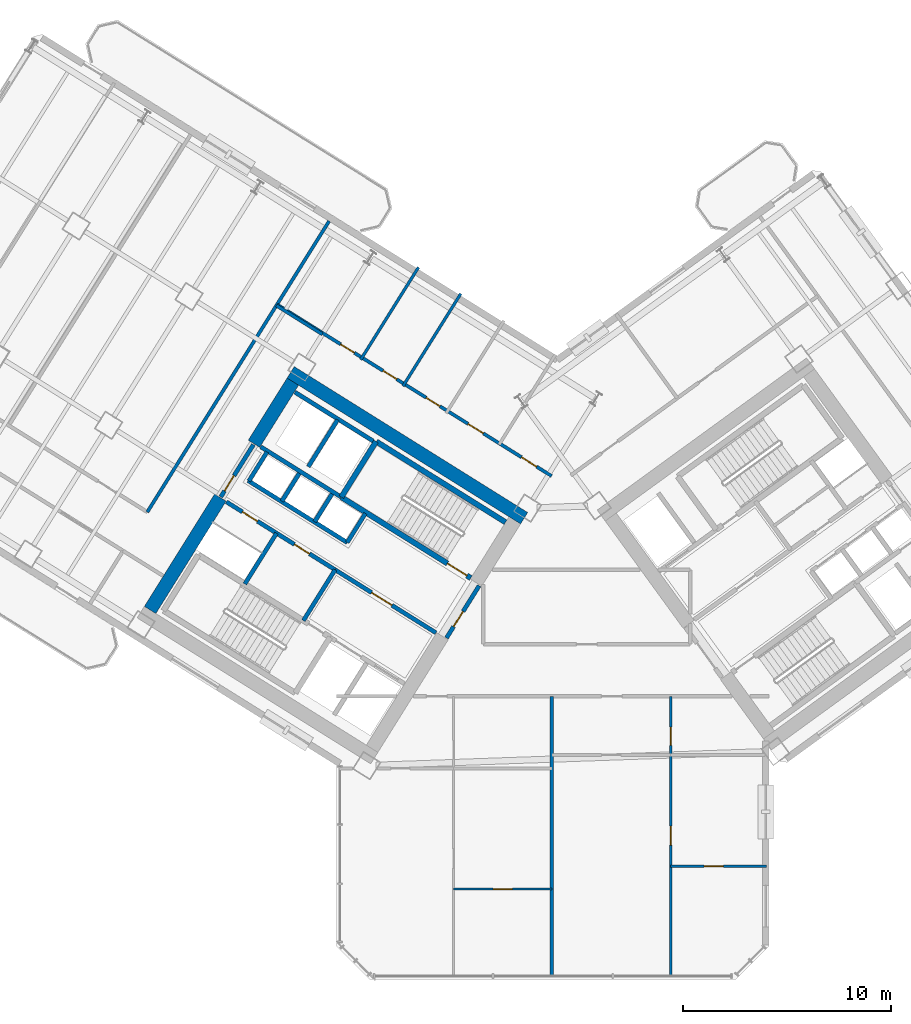
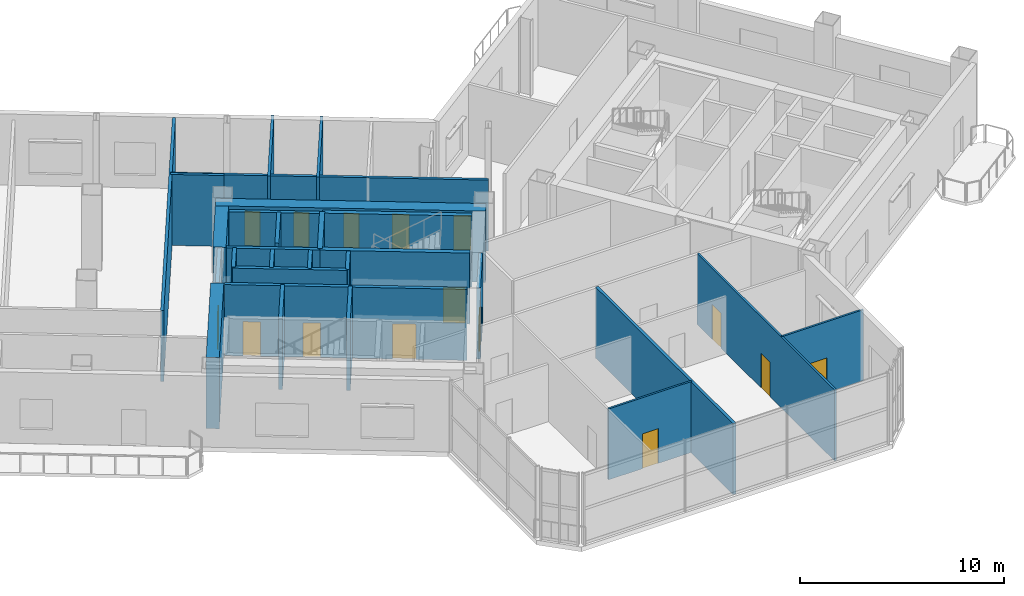
# One storey, part 12 of 19: 29 walls, 15 doors, 15 openings.
"""IFC4 building model written with IfcOpenShell, lengths in metres."""

from ifc_helpers import new_model, si_unit, direction, frame, frame_2d, origin, place, context, subcontext, project, spatial, rectangle, extrude, source, transform, mapped, material, layer, layer_set, type_object, element, fill, save


model = new_model("IFC4")

# Units and contexts
model_context = context("Model", 3, precision=1e-05, world=origin(), true_north=direction((0.0, 1.0)))
body_context = subcontext(model_context, "Body", "Model", "MODEL_VIEW")
ifc_project = project(units=[si_unit("LENGTHUNIT", "METRE"), si_unit("AREAUNIT", "SQUARE_METRE"), si_unit("VOLUMEUNIT", "CUBIC_METRE"), si_unit("PLANEANGLEUNIT", "RADIAN"), si_unit("MASSUNIT", "GRAM", prefix="KILO")], contexts=[model_context])

# Site, building, storey
site_placement = place(None, origin())
site = spatial("IfcSite", under=ifc_project, at=site_placement, CompositionType="ELEMENT")
building_placement = place(site_placement, origin())
building = spatial("IfcBuilding", under=site, at=building_placement, Name="Tlacorven Tower", CompositionType="ELEMENT")
storey_placement = place(building_placement, frame((0.0, 0.0, 76.5)))
storey = spatial("IfcBuildingStorey", under=building, at=storey_placement, Name="L19", CompositionType="ELEMENT", Elevation=76.5)

# Walls
ifc_material_1 = material(Name="Concrete C60/75", Category="concrete")
ifc_layer_1 = layer(ifc_material_1, 0.64990234375)
ifc_layer_set_1 = layer_set([ifc_layer_1], Name="Concrete C60/75")
wall_type_1 = type_object("IfcWallType", Name="WL-COR-650", PredefinedType="SHEAR", material=ifc_layer_set_1)
wall_1_placement = place(storey_placement, frame((40.615478515625, 23.9833984375, 0.0), z_axis=(0.0, 0.0, 1.0), x_axis=(-0.848045953968, 0.529922692436, 0.0)))
element("IfcWall", 1, at=wall_1_placement, inside=storey, type_object=wall_type_1, Name="L19 W core shear wall S1", PredefinedType="SHEAR", context=body_context, shape_type="SweptSolid", body=[
    extrude(rectangle(XDim=13.239990234375, YDim=0.64990234375, at=frame_2d((6.6201171875, 0.0))), origin(), (0.0, 0.0, 1.0), 4.25),
])
wall_2_placement = place(storey_placement, frame((29.49072265625, 30.5517578125, 0.0), z_axis=(0.0, 0.0, 1.0), x_axis=(-0.529893103397, -0.8480644427, 0.0)))
element("IfcWall", 2, at=wall_2_placement, inside=storey, type_object=wall_type_1, Name="L19 W core end wall E2.1", PredefinedType="SHEAR", context=body_context, shape_type="SweptSolid", body=[
    extrude(rectangle(XDim=3.525146484375, YDim=0.64990234375, at=frame_2d((1.7626953125, 0.0))), origin(), (0.0, 0.0, 1.0), 4.25),
])
wall_3_placement = place(storey_placement, frame((26.006591796875, 24.975830078125, 0.0), z_axis=(0.0, 0.0, 1.0), x_axis=(-0.529916319127, -0.848049936456, 0.0)))
element("IfcWall", 3, at=wall_3_placement, inside=storey, type_object=wall_type_1, Name="L19 W core end wall E2.2", PredefinedType="SHEAR", context=body_context, shape_type="SweptSolid", body=[
    extrude(rectangle(XDim=6.375, YDim=0.64990234375, at=frame_2d((3.1875, 0.0))), origin(), (0.0, 0.0, 1.0), 4.25),
])
ifc_material_2 = material(Name="Gypsum plasterboard acoustic partition", Category="gypsum")
ifc_layer_2 = layer(ifc_material_2, 0.159912109375)
ifc_layer_set_2 = layer_set([ifc_layer_2], Name="Gypsum plasterboard acoustic partition")
wall_type_2 = type_object("IfcWallType", Name="WL-DEM-160", PredefinedType="PARTITIONING", material=ifc_layer_set_2)
wall_4_placement = place(storey_placement, frame((30.91357421875, 32.82861328125, 0.0), z_axis=(0.0, 0.0, 1.0), x_axis=(-0.848008813643, 0.529982124211, 0.0)))
element("IfcWall", 4, at=wall_4_placement, inside=storey, type_object=wall_type_2, Name="L19 partition 47", PredefinedType="PARTITIONING", context=body_context, shape_type="SweptSolid", body=[
    extrude(rectangle(XDim=2.610107421875, YDim=0.159912109375, at=frame_2d((1.30517578125, 0.0))), origin(), (0.0, 0.0, 1.0), 4.239990234375),
])
wall_5_placement = place(storey_placement, frame((31.238525390625, 38.27392578125, 0.0), z_axis=(0.0, 0.0, 1.0), x_axis=(-0.529921796515, -0.848046513806, 0.0)))
element("IfcWall", 5, at=wall_5_placement, inside=storey, type_object=wall_type_2, Name="L19 partition 49", PredefinedType="PARTITIONING", context=body_context, shape_type="SweptSolid", body=[
    extrude(rectangle(XDim=16.5, YDim=0.159912109375, at=frame_2d((8.25, 0.0))), origin(), (0.0, 0.0, 1.0), 4.239990234375),
])

# Wall, openings, doors
wall_6_placement = place(storey_placement, frame((41.93603515625, 26.011962890625, 0.0), z_axis=(0.0, 0.0, 1.0), x_axis=(-0.848051154596, 0.529914369676, 0.0)))
wall_6 = element("IfcWall", 6, at=wall_6_placement, inside=storey, type_object=wall_type_2, Name="L19 partition 56", PredefinedType="PARTITIONING", context=body_context, shape_type="SweptSolid", body=[
    extrude(rectangle(XDim=15.56982421875, YDim=0.159912109375, at=frame_2d((7.784912109375, 0.0))), origin(), (0.0, 0.0, 1.0), 4.239990234375),
])
opening_1_placement = place(wall_6_placement, frame((0.85009765625, 0.0, 0.0)))
opening_1 = element("IfcOpeningElement", 7, at=opening_1_placement, cuts=wall_6, Name="Opening D19", PredefinedType="OPENING", context=body_context, shape_type="SweptSolid", body=[
    extrude(rectangle(XDim=0.860107421875, YDim=2.050048828125, at=frame_2d((0.43017578125, 1.02490234375))), frame((0.0, 0.08984375, 0.0), z_axis=(0.0, -1.0, 0.0), x_axis=(1.0, 0.0, 0.0)), (0.0, 0.0, 1.0), 0.179931640625),
])
opening_2_placement = place(wall_6_placement, frame((3.8701171875, 0.0, 0.0)))
opening_2 = element("IfcOpeningElement", 8, at=opening_2_placement, cuts=wall_6, Name="Opening D19", PredefinedType="OPENING", context=body_context, shape_type="SweptSolid", body=[
    extrude(rectangle(XDim=0.860107421875, YDim=2.050048828125, at=frame_2d((0.43017578125, 1.02490234375))), frame((0.0, 0.08984375, 0.0), z_axis=(0.0, -1.0, 0.0), x_axis=(1.0, 0.0, 0.0)), (0.0, 0.0, 1.0), 0.179931640625),
])
opening_3_placement = place(wall_6_placement, frame((6.330078125, 0.0, 0.0)))
opening_3 = element("IfcOpeningElement", 9, at=opening_3_placement, cuts=wall_6, Name="Opening D22", PredefinedType="OPENING", context=body_context, shape_type="SweptSolid", body=[
    extrude(rectangle(XDim=0.780029296875, YDim=2.050048828125, at=frame_2d((0.39013671875, 1.02490234375))), frame((0.0, 0.08984375, 0.0), z_axis=(0.0, -1.0, 0.0), x_axis=(1.0, 0.0, 0.0)), (0.0, 0.0, 1.0), 0.179931640625),
])
opening_4_placement = place(wall_6_placement, frame((8.780029296875, 0.0, 0.0)))
opening_4 = element("IfcOpeningElement", 10, at=opening_4_placement, cuts=wall_6, Name="Opening D22", PredefinedType="OPENING", context=body_context, shape_type="SweptSolid", body=[
    extrude(rectangle(XDim=0.780029296875, YDim=2.050048828125, at=frame_2d((0.39013671875, 1.02490234375))), frame((0.0, 0.08984375, 0.0), z_axis=(0.0, -1.0, 0.0), x_axis=(1.0, 0.0, 0.0)), (0.0, 0.0, 1.0), 0.179931640625),
])
opening_5_placement = place(wall_6_placement, frame((11.179931640625, 0.0, 0.0)))
opening_5 = element("IfcOpeningElement", 11, at=opening_5_placement, cuts=wall_6, Name="Opening D22", PredefinedType="OPENING", context=body_context, shape_type="SweptSolid", body=[
    extrude(rectangle(XDim=0.780029296875, YDim=2.050048828125, at=frame_2d((0.39013671875, 1.02490234375))), frame((0.0, 0.08984375, 0.0), z_axis=(0.0, -1.0, 0.0), x_axis=(1.0, 0.0, 0.0)), (0.0, 0.0, 1.0), 0.179931640625),
])
ifc_material_3 = material(Name="Fire-rated steel door assembly", Category="steel")
door_type_1 = type_object("IfcDoorType", Name="DR-RSR-FD60-0860", OperationType="NOTDEFINED", PredefinedType="DOOR", material=ifc_material_3)
shared_shape_1 = source(origin(), body_context, "Body", "SweptSolid", [
    extrude(rectangle(XDim=0.860107421875, YDim=2.050048828125, at=frame_2d((0.43017578125, 1.02490234375))), frame((0.0, 0.02490234375, 0.0), z_axis=(0.0, -1.0, 0.0), x_axis=(1.0, 0.0, 0.0)), (0.0, 0.0, 1.0), 0.050048828125),
])
door_1_placement = place(opening_1_placement, origin())
door_1 = element("IfcDoor", 12, at=door_1_placement, inside=storey, type_object=door_type_1, Name="L19 door 025", OperationType="SINGLE_SWING_RIGHT", OverallHeight=2.050048828125, OverallWidth=0.860107421875, PredefinedType="DOOR", context=body_context, shape_type="MappedRepresentation", body=[
    mapped(shared_shape_1, transform((0.0, 0.0, 0.0), scale=1.0)),
])
fill(opening_1, door_1)
door_2_placement = place(opening_2_placement, origin())
door_2 = element("IfcDoor", 13, at=door_2_placement, inside=storey, type_object=door_type_1, Name="L19 door 026", OperationType="SINGLE_SWING_LEFT", OverallHeight=2.050048828125, OverallWidth=0.860107421875, PredefinedType="DOOR", context=body_context, shape_type="MappedRepresentation", body=[
    mapped(shared_shape_1, transform((0.0, 0.0, 0.0), scale=1.0)),
])
fill(opening_2, door_2)
ifc_material_4 = material(Name="Powder-coated aluminium and timber door", Category="wood")
door_type_2 = type_object("IfcDoorType", Name="DR-INT-WET-0780", OperationType="NOTDEFINED", PredefinedType="DOOR", material=ifc_material_4)
shared_shape_2 = source(origin(), body_context, "Body", "SweptSolid", [
    extrude(rectangle(XDim=0.780029296875, YDim=2.050048828125, at=frame_2d((0.39013671875, 1.02490234375))), frame((0.0, 0.02490234375, 0.0), z_axis=(0.0, -1.0, 0.0), x_axis=(1.0, 0.0, 0.0)), (0.0, 0.0, 1.0), 0.050048828125),
])
door_3_placement = place(opening_3_placement, origin())
door_3 = element("IfcDoor", 14, at=door_3_placement, inside=storey, type_object=door_type_2, Name="L19 door 027", OperationType="SINGLE_SWING_RIGHT", OverallHeight=2.050048828125, OverallWidth=0.780029296875, PredefinedType="DOOR", context=body_context, shape_type="MappedRepresentation", body=[
    mapped(shared_shape_2, transform((0.0, 0.0, 0.0), scale=1.0)),
])
fill(opening_3, door_3)
door_4_placement = place(opening_4_placement, origin())
door_4 = element("IfcDoor", 15, at=door_4_placement, inside=storey, type_object=door_type_2, Name="L19 door 028", OperationType="SINGLE_SWING_LEFT", OverallHeight=2.050048828125, OverallWidth=0.780029296875, PredefinedType="DOOR", context=body_context, shape_type="MappedRepresentation", body=[
    mapped(shared_shape_2, transform((0.0, 0.0, 0.0), scale=1.0)),
])
fill(opening_4, door_4)
door_5_placement = place(opening_5_placement, origin())
door_5 = element("IfcDoor", 16, at=door_5_placement, inside=storey, type_object=door_type_2, Name="L19 door 029", OperationType="SINGLE_SWING_RIGHT", OverallHeight=2.050048828125, OverallWidth=0.780029296875, PredefinedType="DOOR", context=body_context, shape_type="MappedRepresentation", body=[
    mapped(shared_shape_2, transform((0.0, 0.0, 0.0), scale=1.0)),
])
fill(opening_5, door_5)

# Wall
wall_7_placement = place(storey_placement, frame((41.949951171875, 1.9599609375, 0.0), z_axis=(0.0, 0.0, 1.0), x_axis=(0.0, 1.0, 0.0)))
element("IfcWall", 17, at=wall_7_placement, inside=storey, type_object=wall_type_2, Name="L19 Knuckle Demising Wall 1", PredefinedType="PARTITIONING", context=body_context, shape_type="SweptSolid", body=[
    extrude(rectangle(XDim=13.4599609375, YDim=0.159912109375, at=frame_2d((6.72998046875, 0.0))), origin(), (0.0, 0.0, 1.0), 4.239990234375),
])

# Wall, opening, door
ifc_material_5 = material(Name="Gypsum plasterboard partition", Category="gypsum")
ifc_layer_3 = layer(ifc_material_5, 0.110107421875)
ifc_layer_set_3 = layer_set([ifc_layer_3], Name="Gypsum plasterboard partition")
wall_type_3 = type_object("IfcWallType", Name="WL-INT-110", PredefinedType="PARTITIONING", material=ifc_layer_set_3)
wall_8_placement = place(storey_placement, frame((37.221923828125, 6.14990234375, 0.0), z_axis=(0.0, 0.0, 1.0), x_axis=(1.0, 0.0, 0.0)))
wall_8 = element("IfcWall", 18, at=wall_8_placement, inside=storey, type_object=wall_type_3, Name="L19 partition 73", PredefinedType="PARTITIONING", context=body_context, shape_type="SweptSolid", body=[
    extrude(rectangle(XDim=4.72802734375, YDim=0.110107421875, at=frame_2d((2.364013671875, 0.0))), origin(), (0.0, 0.0, 1.0), 4.239990234375),
])
opening_6_placement = place(wall_8_placement, frame((1.904052734375, 0.0, 0.0)))
opening_6 = element("IfcOpeningElement", 19, at=opening_6_placement, cuts=wall_8, Name="Opening D12", PredefinedType="OPENING", context=body_context, shape_type="SweptSolid", body=[
    extrude(rectangle(XDim=0.919921875, YDim=2.080078125, at=frame_2d((0.4599609375, 1.0400390625))), frame((0.0, 0.06494140625, 0.0), z_axis=(0.0, -1.0, 0.0), x_axis=(1.0, 0.0, 0.0)), (0.0, 0.0, 1.0), 0.130126953125),
])
door_type_3 = type_object("IfcDoorType", Name="DR-INT-ROOM-0920", OperationType="NOTDEFINED", PredefinedType="DOOR", material=ifc_material_4)
shared_shape_3 = source(origin(), body_context, "Body", "SweptSolid", [
    extrude(rectangle(XDim=0.919921875, YDim=2.080078125, at=frame_2d((0.4599609375, 1.0400390625))), frame((0.0, 0.02490234375, 0.0), z_axis=(0.0, -1.0, 0.0), x_axis=(1.0, 0.0, 0.0)), (0.0, 0.0, 1.0), 0.050048828125),
])
door_6_placement = place(opening_6_placement, origin())
door_6 = element("IfcDoor", 20, at=door_6_placement, inside=storey, type_object=door_type_3, Name="L19 door 034", OperationType="SINGLE_SWING_LEFT", OverallHeight=2.080078125, OverallWidth=0.919921875, PredefinedType="DOOR", context=body_context, shape_type="MappedRepresentation", body=[
    mapped(shared_shape_3, transform((0.0, 0.0, 0.0), scale=1.0)),
])
fill(opening_6, door_6)

# Wall, openings, doors
wall_9_placement = place(storey_placement, frame((47.6630859375, 1.9599609375, 0.0), z_axis=(0.0, 0.0, 1.0), x_axis=(0.0, 1.0, 0.0)))
wall_9 = element("IfcWall", 21, at=wall_9_placement, inside=storey, type_object=wall_type_3, Name="L19 partition 74", PredefinedType="PARTITIONING", context=body_context, shape_type="SweptSolid", body=[
    extrude(rectangle(XDim=13.4599609375, YDim=0.110107421875, at=frame_2d((6.72998046875, 0.0))), origin(), (0.0, 0.0, 1.0), 4.239990234375),
])
opening_7_placement = place(wall_9_placement, frame((6.300048828125, 0.0, 0.0)))
opening_7 = element("IfcOpeningElement", 22, at=opening_7_placement, cuts=wall_9, Name="Opening D12", PredefinedType="OPENING", context=body_context, shape_type="SweptSolid", body=[
    extrude(rectangle(XDim=0.919921875, YDim=2.080078125, at=frame_2d((0.4599609375, 1.0400390625))), frame((0.0, 0.06494140625, 0.0), z_axis=(0.0, -1.0, 0.0), x_axis=(1.0, 0.0, 0.0)), (0.0, 0.0, 1.0), 0.130126953125),
])
opening_8_placement = place(wall_9_placement, frame((11.10009765625, 0.0, 0.0)))
opening_8 = element("IfcOpeningElement", 23, at=opening_8_placement, cuts=wall_9, Name="Opening D13", PredefinedType="OPENING", context=body_context, shape_type="SweptSolid", body=[
    extrude(rectangle(XDim=0.8798828125, YDim=2.080078125, at=frame_2d((0.43994140625, 1.0400390625))), frame((0.0, 0.06494140625, 0.0), z_axis=(0.0, -1.0, 0.0), x_axis=(1.0, 0.0, 0.0)), (0.0, 0.0, 1.0), 0.130126953125),
])
door_type_4 = type_object("IfcDoorType", Name="DR-INT-WET-0880", OperationType="NOTDEFINED", PredefinedType="DOOR", material=ifc_material_4)
shared_shape_4 = source(origin(), body_context, "Body", "SweptSolid", [
    extrude(rectangle(XDim=0.8798828125, YDim=2.080078125, at=frame_2d((0.43994140625, 1.0400390625))), frame((0.0, 0.02490234375, 0.0), z_axis=(0.0, -1.0, 0.0), x_axis=(1.0, 0.0, 0.0)), (0.0, 0.0, 1.0), 0.050048828125),
])
door_7_placement = place(opening_8_placement, origin())
door_7 = element("IfcDoor", 24, at=door_7_placement, inside=storey, type_object=door_type_4, Name="L19 door 042", OperationType="SINGLE_SWING_LEFT", OverallHeight=2.080078125, OverallWidth=0.8798828125, PredefinedType="DOOR", context=body_context, shape_type="MappedRepresentation", body=[
    mapped(shared_shape_4, transform((0.0, 0.0, 0.0), scale=1.0)),
])
fill(opening_8, door_7)
door_8_placement = place(opening_7_placement, origin())
door_8 = element("IfcDoor", 25, at=door_8_placement, inside=storey, type_object=door_type_3, Name="L19 door 038", OperationType="SINGLE_SWING_LEFT", OverallHeight=2.080078125, OverallWidth=0.919921875, PredefinedType="DOOR", context=body_context, shape_type="MappedRepresentation", body=[
    mapped(shared_shape_3, transform((0.0, 0.0, 0.0), scale=1.0)),
])
fill(opening_7, door_8)

# Wall, opening, door
wall_10_placement = place(storey_placement, frame((47.6630859375, 7.25, 0.0), z_axis=(0.0, 0.0, 1.0), x_axis=(1.0, 0.0, 0.0)))
wall_10 = element("IfcWall", 26, at=wall_10_placement, inside=storey, type_object=wall_type_3, Name="L19 partition 77", PredefinedType="PARTITIONING", context=body_context, shape_type="SweptSolid", body=[
    extrude(rectangle(XDim=4.596923828125, YDim=0.110107421875, at=frame_2d((2.29833984375, 0.0))), origin(), (0.0, 0.0, 1.0), 4.239990234375),
])
opening_9_placement = place(wall_10_placement, frame((1.6083984375, 0.0, 0.0)))
opening_9 = element("IfcOpeningElement", 27, at=opening_9_placement, cuts=wall_10, Name="Opening D12", PredefinedType="OPENING", context=body_context, shape_type="SweptSolid", body=[
    extrude(rectangle(XDim=0.919921875, YDim=2.080078125, at=frame_2d((0.4599609375, 1.0400390625))), frame((0.0, 0.06494140625, 0.0), z_axis=(0.0, -1.0, 0.0), x_axis=(1.0, 0.0, 0.0)), (0.0, 0.0, 1.0), 0.130126953125),
])
door_9_placement = place(opening_9_placement, origin())
door_9 = element("IfcDoor", 28, at=door_9_placement, inside=storey, type_object=door_type_3, Name="L19 door 039", OperationType="SINGLE_SWING_RIGHT", OverallHeight=2.080078125, OverallWidth=0.919921875, PredefinedType="DOOR", context=body_context, shape_type="MappedRepresentation", body=[
    mapped(shared_shape_3, transform((0.0, 0.0, 0.0), scale=1.0)),
])
fill(opening_9, door_9)

# Walls
ifc_material_6 = material(Name="Moisture-resistant gypsum plumbing wall", Category="gypsum")
ifc_layer_4 = layer(ifc_material_6, 0.139892578125)
ifc_layer_set_4 = layer_set([ifc_layer_4], Name="Moisture-resistant gypsum plumbing wall")
wall_type_4 = type_object("IfcWallType", Name="WL-PLM-140", PredefinedType="PLUMBINGWALL", material=ifc_layer_set_4)
for number, where, z_axis, x_axis, name in (
    (29, (37.568115234375, 34.77880859375, 0.0), (0.0, 0.0, 1.0), (-0.529923555071, -0.848045414928, 0.0), "L19 partition 60"),
    (30, (35.53271484375, 36.050537109375, 0.0), (0.0, 0.0, 1.0), (-0.529923555071, -0.848045414928, 0.0), "L19 partition 61"),
):
    element("IfcWall", number, at=place(storey_placement, frame(where, z_axis=z_axis, x_axis=x_axis)), inside=storey, type_object=wall_type_4, Name=name, PredefinedType="PLUMBINGWALL", context=body_context, shape_type="SweptSolid", body=[
        extrude(rectangle(XDim=5.239990234375, YDim=0.139892578125, at=frame_2d((2.6201171875, 0.0))), origin(), (0.0, 0.0, 1.0), 4.239990234375),
    ])

# Wall, opening, door
ifc_material_7 = material(Name="Concrete C40/50", Category="concrete")
ifc_layer_5 = layer(ifc_material_7, 0.199951171875)
ifc_layer_set_5 = layer_set([ifc_layer_5], Name="Concrete C40/50")
wall_type_5 = type_object("IfcWallType", Name="WL-SHF-200", PredefinedType="STANDARD", material=ifc_layer_set_5)
wall_11_placement = place(storey_placement, frame((36.374267578125, 18.4736328125, 0.0), z_axis=(0.0, 0.0, 1.0), x_axis=(-0.848051071577, 0.529914502535, 0.0)))
wall_11 = element("IfcWall", 31, at=wall_11_placement, inside=storey, type_object=wall_type_5, Name="L19 Core W Smoke Lobby Wall", PredefinedType="STANDARD", context=body_context, shape_type="SweptSolid", body=[
    extrude(rectangle(XDim=5.718017578125, YDim=0.199951171875, at=frame_2d((2.85888671875, 0.0))), origin(), (0.0, 0.0, 1.0), 4.239990234375),
])
opening_10_placement = place(wall_11_placement, frame((2.498046875, 0.0, 0.0)))
opening_10 = element("IfcOpeningElement", 32, at=opening_10_placement, cuts=wall_11, Name="Opening D09", PredefinedType="OPENING", context=body_context, shape_type="SweptSolid", body=[
    extrude(rectangle(XDim=1.14990234375, YDim=2.10009765625, at=frame_2d((0.574951171875, 1.050048828125))), frame((0.0, 0.10986328125, 0.0), z_axis=(0.0, -1.0, 0.0), x_axis=(1.0, 0.0, 0.0)), (0.0, 0.0, 1.0), 0.219970703125),
])
door_type_5 = type_object("IfcDoorType", Name="DR-FFL-FD60-1150", OperationType="NOTDEFINED", PredefinedType="DOOR", material=ifc_material_3)
shared_shape_5 = source(origin(), body_context, "Body", "SweptSolid", [
    extrude(rectangle(XDim=1.14990234375, YDim=2.10009765625, at=frame_2d((0.574951171875, 1.050048828125))), frame((0.0, 0.02490234375, 0.0), z_axis=(0.0, -1.0, 0.0), x_axis=(1.0, 0.0, 0.0)), (0.0, 0.0, 1.0), 0.050048828125),
])
door_10_placement = place(opening_10_placement, origin())
door_10 = element("IfcDoor", 33, at=door_10_placement, inside=storey, type_object=door_type_5, Name="L19 Firefighting Lobby W Fire Door", OperationType="SINGLE_SWING_LEFT", OverallHeight=2.10009765625, OverallWidth=1.14990234375, PredefinedType="DOOR", context=body_context, shape_type="MappedRepresentation", body=[
    mapped(shared_shape_5, transform((0.0, 0.0, 0.0), scale=1.0)),
])
fill(opening_10, door_10)

# Walls
wall_12_placement = place(storey_placement, frame((31.82177734375, 24.99755859375, 0.0), z_axis=(0.0, 0.0, 1.0), x_axis=(-0.848058348634, 0.529902856485, 0.0)))
element("IfcWall", 34, at=wall_12_placement, inside=storey, type_object=wall_type_5, Name="L19 Core W South Lift Shaft Wall", PredefinedType="STANDARD", context=body_context, shape_type="SweptSolid", body=[
    extrude(rectangle(XDim=4.568115234375, YDim=0.199951171875, at=frame_2d((2.2841796875, 0.0))), origin(), (0.0, 0.0, 1.0), 4.239990234375),
])
wall_13_placement = place(storey_placement, frame((32.108154296875, 22.81396484375, 0.0), z_axis=(0.0, 0.0, 1.0), x_axis=(-0.848042229521, 0.529928652696, 0.0)))
element("IfcWall", 35, at=wall_13_placement, inside=storey, type_object=wall_type_5, Name="L19 partition 11", PredefinedType="STANDARD", context=body_context, shape_type="SweptSolid", body=[
    extrude(rectangle(XDim=5.6201171875, YDim=0.199951171875, at=frame_2d((2.81005859375, 0.0))), origin(), (0.0, 0.0, 1.0), 4.239990234375),
])
wall_14_placement = place(storey_placement, frame((32.982421875, 24.21337890625, 0.0), z_axis=(0.0, 0.0, 1.0), x_axis=(-0.529839334948, -0.84809803628, 0.0)))
element("IfcWall", 36, at=wall_14_placement, inside=storey, type_object=wall_type_5, Name="L19 partition 12", PredefinedType="STANDARD", context=body_context, shape_type="SweptSolid", body=[
    extrude(rectangle(XDim=1.650146484375, YDim=0.199951171875, at=frame_2d((0.8251953125, 0.0))), origin(), (0.0, 0.0, 1.0), 4.239990234375),
])
wall_15_placement = place(storey_placement, frame((28.250244140625, 27.170166015625, 0.0), z_axis=(0.0, 0.0, 1.0), x_axis=(-0.529905827651, -0.848056492117, 0.0)))
element("IfcWall", 37, at=wall_15_placement, inside=storey, type_object=wall_type_5, Name="L19 partition 13", PredefinedType="STANDARD", context=body_context, shape_type="SweptSolid", body=[
    extrude(rectangle(XDim=1.64990234375, YDim=0.199951171875, at=frame_2d((0.824951171875, 0.0))), origin(), (0.0, 0.0, 1.0), 4.239990234375),
])
wall_16_placement = place(storey_placement, frame((31.645263671875, 28.716064453125, 0.0), z_axis=(0.0, 0.0, 1.0), x_axis=(-0.52986693015, -0.848080795876, 0.0)))
element("IfcWall", 38, at=wall_16_placement, inside=storey, type_object=wall_type_5, Name="L19 partition 15", PredefinedType="STANDARD", context=body_context, shape_type="SweptSolid", body=[
    extrude(rectangle(XDim=2.659912109375, YDim=0.199951171875, at=frame_2d((1.330078125, 0.0))), origin(), (0.0, 0.0, 1.0), 4.239990234375),
])
wall_17_placement = place(storey_placement, frame((33.362548828125, 27.690185546875, 0.0), z_axis=(0.0, 0.0, 1.0), x_axis=(-0.848053806312, 0.529910125964, 0.0)))
element("IfcWall", 39, at=wall_17_placement, inside=storey, type_object=wall_type_5, Name="L19 partition 17", PredefinedType="STANDARD", context=body_context, shape_type="SweptSolid", body=[
    extrude(rectangle(XDim=4.44775390625, YDim=0.199951171875, at=frame_2d((2.223876953125, 0.0))), origin(), (0.0, 0.0, 1.0), 4.239990234375),
])
for number, where, z_axis, x_axis, name in (
    (40, (31.378662109375, 25.156494140625, 0.0), (0.0, 0.0, 1.0), (-0.529998940003, -0.847998304005, 0.0), "L19 partition 18"),
    (41, (29.80126953125, 26.14208984375, 0.0), (0.0, 0.0, 1.0), (-0.529998940003, -0.847998304005, 0.0), "L19 partition 19"),
):
    element("IfcWall", number, at=place(storey_placement, frame(where, z_axis=z_axis, x_axis=x_axis)), inside=storey, type_object=wall_type_5, Name=name, PredefinedType="STANDARD", context=body_context, shape_type="SweptSolid", body=[
        extrude(rectangle(XDim=1.580078125, YDim=0.199951171875, at=frame_2d((0.7900390625, 0.0))), origin(), (0.0, 0.0, 1.0), 4.239990234375),
    ])
for number, where, z_axis, x_axis, name in (
    (42, (31.525146484375, 21.503662109375, 0.0), (0.0, 0.0, 1.0), (-0.529907497854, -0.848055448493, 0.0), "L19 partition 20"),
    (43, (28.709716796875, 23.26318359375, 0.0), (0.0, 0.0, 1.0), (-0.529907497854, -0.848055448493, 0.0), "L19 partition 21"),
):
    element("IfcWall", number, at=place(storey_placement, frame(where, z_axis=z_axis, x_axis=x_axis)), inside=storey, type_object=wall_type_5, Name=name, PredefinedType="STANDARD", context=body_context, shape_type="SweptSolid", body=[
        extrude(rectangle(XDim=2.8798828125, YDim=0.199951171875, at=frame_2d((1.43994140625, 0.0))), origin(), (0.0, 0.0, 1.0), 4.239990234375),
    ])

# Wall, openings, doors
wall_18_placement = place(storey_placement, frame((31.525146484375, 21.503662109375, 0.0), z_axis=(0.0, 0.0, 1.0), x_axis=(-0.848044998614, 0.529924221305, 0.0)))
wall_18 = element("IfcWall", 44, at=wall_18_placement, inside=storey, type_object=wall_type_5, Name="L19 Core W North Service Wall", PredefinedType="STANDARD", context=body_context, shape_type="SweptSolid", body=[
    extrude(rectangle(XDim=6.16796875, YDim=0.199951171875, at=frame_2d((3.083984375, 0.0))), origin(), (0.0, 0.0, 1.0), 4.239990234375),
])
opening_11_placement = place(wall_18_placement, frame((4.39990234375, 0.0, 0.0)))
opening_11 = element("IfcOpeningElement", 45, at=opening_11_placement, cuts=wall_18, Name="Opening D19", PredefinedType="OPENING", context=body_context, shape_type="SweptSolid", body=[
    extrude(rectangle(XDim=0.860107421875, YDim=2.050048828125, at=frame_2d((0.43017578125, 1.02490234375))), frame((0.0, 0.10986328125, 0.0), z_axis=(0.0, -1.0, 0.0), x_axis=(1.0, 0.0, 0.0)), (0.0, 0.0, 1.0), 0.219970703125),
])
opening_12_placement = place(wall_18_placement, frame((1.449951171875, 0.0, 0.0)))
opening_12 = element("IfcOpeningElement", 46, at=opening_12_placement, cuts=wall_18, Name="Opening D19", PredefinedType="OPENING", context=body_context, shape_type="SweptSolid", body=[
    extrude(rectangle(XDim=0.860107421875, YDim=2.050048828125, at=frame_2d((0.43017578125, 1.02490234375))), frame((0.0, 0.10986328125, 0.0), z_axis=(0.0, -1.0, 0.0), x_axis=(1.0, 0.0, 0.0)), (0.0, 0.0, 1.0), 0.219970703125),
])
door_11_placement = place(opening_11_placement, frame((0.860107421875, 0.0, 0.0), z_axis=(0.0, 0.0, 1.0), x_axis=(-1.0, 0.0, 0.0)))
door_11 = element("IfcDoor", 47, at=door_11_placement, inside=storey, type_object=door_type_1, Name="L19 Electrical Riser Access Door W", OperationType="SINGLE_SWING_RIGHT", OverallHeight=2.050048828125, OverallWidth=0.860107421875, PredefinedType="DOOR", context=body_context, shape_type="MappedRepresentation", body=[
    mapped(shared_shape_1, transform((0.0, 0.0, 0.0), scale=1.0)),
])
fill(opening_11, door_11)
door_12_placement = place(opening_12_placement, frame((0.860107421875, 0.0, 0.0), z_axis=(0.0, 0.0, 1.0), x_axis=(-1.0, 0.0, 0.0)))
door_12 = element("IfcDoor", 48, at=door_12_placement, inside=storey, type_object=door_type_1, Name="L19 Housekeeping Linen Access Door W", OperationType="SINGLE_SWING_LEFT", OverallHeight=2.050048828125, OverallWidth=0.860107421875, PredefinedType="DOOR", context=body_context, shape_type="MappedRepresentation", body=[
    mapped(shared_shape_1, transform((0.0, 0.0, 0.0), scale=1.0)),
])
fill(opening_12, door_12)

# Wall, opening, door
wall_19_placement = place(storey_placement, frame((27.59619140625, 27.52001953125, 0.0), z_axis=(0.0, 0.0, 1.0), x_axis=(-0.529865479138, -0.848081702443, 0.0)))
wall_19 = element("IfcWall", 49, at=wall_19_placement, inside=storey, type_object=wall_type_5, Name="L19 partition 46", PredefinedType="STANDARD", context=body_context, shape_type="SweptSolid", body=[
    extrude(rectangle(XDim=2.9599609375, YDim=0.199951171875, at=frame_2d((1.47998046875, 0.0))), origin(), (0.0, 0.0, 1.0), 4.239990234375),
])
opening_13_placement = place(wall_19_placement, frame((1.760009765625, 0.0, 0.0)))
opening_13 = element("IfcOpeningElement", 50, at=opening_13_placement, cuts=wall_19, Name="Opening D19", PredefinedType="OPENING", context=body_context, shape_type="SweptSolid", body=[
    extrude(rectangle(XDim=0.860107421875, YDim=2.050048828125, at=frame_2d((0.43017578125, 1.02490234375))), frame((0.0, 0.10986328125, 0.0), z_axis=(0.0, -1.0, 0.0), x_axis=(1.0, 0.0, 0.0)), (0.0, 0.0, 1.0), 0.219970703125),
])
door_13_placement = place(opening_13_placement, origin())
door_13 = element("IfcDoor", 51, at=door_13_placement, inside=storey, type_object=door_type_1, Name="L19 door 019", OperationType="SINGLE_SWING_LEFT", OverallHeight=2.050048828125, OverallWidth=0.860107421875, PredefinedType="DOOR", context=body_context, shape_type="MappedRepresentation", body=[
    mapped(shared_shape_1, transform((0.0, 0.0, 0.0), scale=1.0)),
])
fill(opening_13, door_13)

wall_20_placement = place(storey_placement, frame((38.451416015625, 20.737060546875, 0.0), z_axis=(0.0, 0.0, 1.0), x_axis=(-0.529924799939, -0.848044637038, 0.0)))
wall_20 = element("IfcWall", 52, at=wall_20_placement, inside=storey, type_object=wall_type_5, Name="L19 partition 62", PredefinedType="STANDARD", context=body_context, shape_type="SweptSolid", body=[
    extrude(rectangle(XDim=2.9599609375, YDim=0.199951171875, at=frame_2d((1.47998046875, 0.0))), origin(), (0.0, 0.0, 1.0), 4.239990234375),
])
opening_14_placement = place(wall_20_placement, frame((1.4599609375, 0.0, 0.0)))
opening_14 = element("IfcOpeningElement", 53, at=opening_14_placement, cuts=wall_20, Name="Opening D19", PredefinedType="OPENING", context=body_context, shape_type="SweptSolid", body=[
    extrude(rectangle(XDim=0.860107421875, YDim=2.050048828125, at=frame_2d((0.43017578125, 1.02490234375))), frame((0.0, 0.10986328125, 0.0), z_axis=(0.0, -1.0, 0.0), x_axis=(1.0, 0.0, 0.0)), (0.0, 0.0, 1.0), 0.219970703125),
])
door_14_placement = place(opening_14_placement, frame((0.860107421875, 0.0, 0.0), z_axis=(0.0, 0.0, 1.0), x_axis=(-1.0, 0.0, 0.0)))
door_14 = element("IfcDoor", 54, at=door_14_placement, inside=storey, type_object=door_type_1, Name="L19 door 031", OperationType="SINGLE_SWING_LEFT", OverallHeight=2.050048828125, OverallWidth=0.860107421875, PredefinedType="DOOR", context=body_context, shape_type="MappedRepresentation", body=[
    mapped(shared_shape_1, transform((0.0, 0.0, 0.0), scale=1.0)),
])
fill(opening_14, door_14)

# Wall
ifc_material_8 = material(Name="Concrete C50/60", Category="concrete")
ifc_layer_6 = layer(ifc_material_8, 0.260009765625)
ifc_layer_set_6 = layer_set([ifc_layer_6], Name="Concrete C50/60")
wall_type_6 = type_object("IfcWallType", Name="WL-STW-260", PredefinedType="SHEAR", material=ifc_layer_set_6)
wall_21_placement = place(storey_placement, frame((39.720947265625, 23.787841796875, 0.0), z_axis=(0.0, 0.0, 1.0), x_axis=(-0.848054434086, 0.529909121291, 0.0)))
element("IfcWall", 55, at=wall_21_placement, inside=storey, type_object=wall_type_6, Name="L19 Stair W2 Far Shear Wall", PredefinedType="SHEAR", context=body_context, shape_type="SweptSolid", body=[
    extrude(rectangle(XDim=7.330078125, YDim=0.260009765625, at=frame_2d((3.6650390625, 0.0))), origin(), (0.0, 0.0, 1.0), 4.25),
])

# Wall, opening, door
wall_22_placement = place(storey_placement, frame((38.04638671875, 21.10791015625, 0.0), z_axis=(0.0, 0.0, 1.0), x_axis=(-0.848054434086, 0.529909121291, 0.0)))
wall_22 = element("IfcWall", 56, at=wall_22_placement, inside=storey, type_object=wall_type_6, Name="L19 Stair W2 Lobby Shear Wall", PredefinedType="SHEAR", context=body_context, shape_type="SweptSolid", body=[
    extrude(rectangle(XDim=7.330078125, YDim=0.260009765625, at=frame_2d((3.6650390625, 0.0))), origin(), (0.0, 0.0, 1.0), 4.25),
])
opening_15_placement = place(wall_22_placement, frame((0.219970703125, 0.0, 0.0)))
opening_15 = element("IfcOpeningElement", 57, at=opening_15_placement, cuts=wall_22, Name="Opening D07", PredefinedType="OPENING", context=body_context, shape_type="SweptSolid", body=[
    extrude(rectangle(XDim=1.10009765625, YDim=2.10009765625, at=frame_2d((0.550048828125, 1.050048828125))), frame((0.0, 0.14013671875, 0.0), z_axis=(0.0, -1.0, 0.0), x_axis=(1.0, 0.0, 0.0)), (0.0, 0.0, 1.0), 0.280029296875),
])
door_type_6 = type_object("IfcDoorType", Name="DR-STR-FD90-1100", OperationType="NOTDEFINED", PredefinedType="DOOR", material=ifc_material_3)
shared_shape_6 = source(origin(), body_context, "Body", "SweptSolid", [
    extrude(rectangle(XDim=1.10009765625, YDim=2.10009765625, at=frame_2d((0.550048828125, 1.050048828125))), frame((0.0, 0.02490234375, 0.0), z_axis=(0.0, -1.0, 0.0), x_axis=(1.0, 0.0, 0.0)), (0.0, 0.0, 1.0), 0.050048828125),
])
door_15_placement = place(opening_15_placement, origin())
door_15 = element("IfcDoor", 58, at=door_15_placement, inside=storey, type_object=door_type_6, Name="L19 Exit Stair W2 Fire Door", OperationType="SINGLE_SWING_RIGHT", OverallHeight=2.10009765625, OverallWidth=1.10009765625, PredefinedType="DOOR", context=body_context, shape_type="MappedRepresentation", body=[
    mapped(shared_shape_6, transform((0.0, 0.0, 0.0), scale=1.0)),
])
fill(opening_15, door_15)

# Wall
wall_23_placement = place(storey_placement, frame((33.496337890625, 27.677490234375, 0.0), z_axis=(0.0, 0.0, 1.0), x_axis=(-0.529908658664, -0.84805472316, 0.0)))
element("IfcWall", 59, at=wall_23_placement, inside=storey, type_object=wall_type_6, Name="L19 Stair W2 East Shear Wall", PredefinedType="SHEAR", context=body_context, shape_type="SweptSolid", body=[
    extrude(rectangle(XDim=3.16015625, YDim=0.260009765625, at=frame_2d((1.580078125, 0.0))), origin(), (0.0, 0.0, 1.0), 4.25),
])

save(model, "model.ifc")
